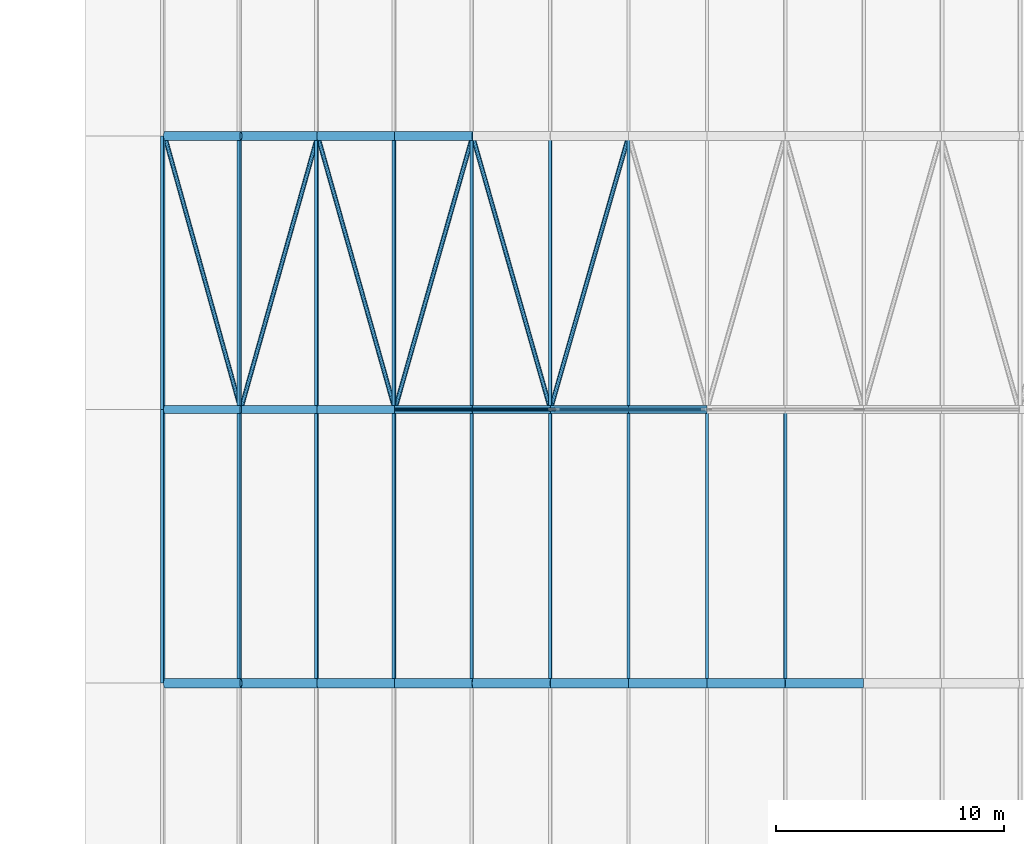
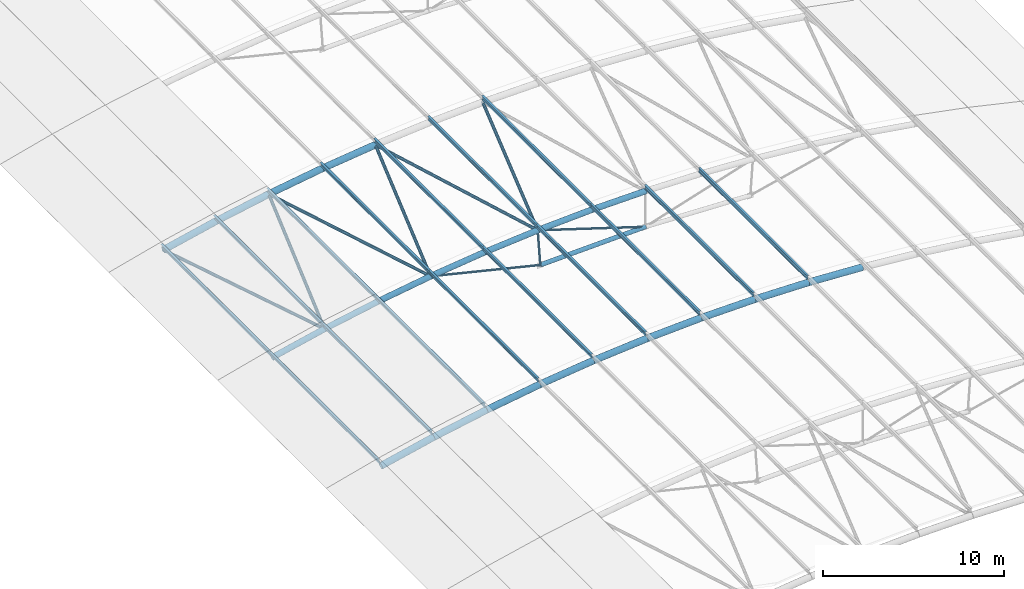
# One storey, part 7 of 91: 46 members.
"""IFC4 building model written with IfcOpenShell, lengths in metres."""

from ifc_helpers import new_model, si_unit, direction, frame, origin, origin_2d, place, context, subcontext, project, spatial, hollow_circle, i_section, extrude, material, material_profile, profile_set, type_object, element, save


model = new_model("IFC4")

# Units and contexts
model_context = context("Model", 3, precision=1e-05, world=origin(), true_north=direction((0.0, 1.0)))
body_context = subcontext(model_context, "Body", "Model", "MODEL_VIEW")
ifc_project = project(units=[si_unit("LENGTHUNIT", "METRE"), si_unit("AREAUNIT", "SQUARE_METRE"), si_unit("VOLUMEUNIT", "CUBIC_METRE"), si_unit("PLANEANGLEUNIT", "RADIAN"), si_unit("MASSUNIT", "GRAM", prefix="KILO")], contexts=[model_context])

# Site, building, storey
site_placement = place(None, origin())
site = spatial("IfcSite", under=ifc_project, at=site_placement, CompositionType="ELEMENT")
building_placement = place(site_placement, origin())
building = spatial("IfcBuilding", under=site, at=building_placement, Name="Ravi Spectrum Wholesale Market", CompositionType="ELEMENT")
storey_placement = place(building_placement, frame((0.0, 0.0, 16.199951171875)))
storey = spatial("IfcBuildingStorey", under=building, at=storey_placement, Name="ROOF PLANT LEVEL", CompositionType="ELEMENT", Elevation=16.199951171875)

# Members
ifc_material_1 = material(Name="Steel S355", Category="steel")
ifc_material_profile_1 = material_profile(ifc_material_1, hollow_circle(Radius=0.06982421875, WallThickness=0.0048828125, at=origin_2d()))
ifc_profile_set_1 = profile_set([ifc_material_profile_1], Name="Steel S355")
member_type_1 = type_object("IfcMemberType", Name="CHS 139.7x5 brace", PredefinedType="BRACE", material=ifc_profile_set_1)
member_1_placement = place(storey_placement, frame((56.318115234375, 66.0, 2.079833984375), z_axis=(0.97214359809, 0.0, -0.234386059083), x_axis=(0.0, 1.0, 0.0)))
element("IfcMember", 1, at=member_1_placement, inside=storey, type_object=member_type_1, Name="H1-MB-L02-312", PredefinedType="BRACE", context=body_context, shape_type="SweptSolid", body=[
    extrude(hollow_circle(Radius=0.06982421875, WallThickness=0.0048828125, at=origin_2d()), origin(), (0.0, 0.0, 1.0), 7.190185546875),
])
member_2_placement = place(storey_placement, frame((63.142822265625, 66.0, 2.788818359375), z_axis=(0.953666273238, 0.0, -0.300866480833), x_axis=(0.0, 1.0, 0.0)))
element("IfcMember", 2, at=member_2_placement, inside=storey, type_object=member_type_1, Name="H1-MB-L02-313", PredefinedType="BRACE", context=body_context, shape_type="SweptSolid", body=[
    extrude(hollow_circle(Radius=0.06982421875, WallThickness=0.0048828125, at=origin_2d()), origin(), (0.0, 0.0, 1.0), 7.1904296875),
])
ifc_material_2 = material(Name="Steel S355", Category="steel")
ifc_material_profile_2 = material_profile(ifc_material_2, hollow_circle(Radius=0.06982421875, WallThickness=0.0048828125, at=origin_2d()))
ifc_profile_set_2 = profile_set([ifc_material_profile_2], Name="Steel S355")
member_type_2 = type_object("IfcMemberType", Name="CHS 139.7x5 post", PredefinedType="POST", material=ifc_profile_set_2)
member_3_placement = place(storey_placement, frame((63.142822265625, 66.0, 2.788818359375), z_axis=(0.068868423963, 0.0, -0.997625751563), x_axis=(0.0, 1.0, 0.0)))
element("IfcMember", 3, at=member_3_placement, inside=storey, type_object=member_type_2, Name="H1-MB-L02-302", PredefinedType="POST", context=body_context, shape_type="SweptSolid", body=[
    extrude(hollow_circle(Radius=0.06982421875, WallThickness=0.0048828125, at=origin_2d()), origin(), (0.0, 0.0, 1.0), 2.39990234375),
])
ifc_material_3 = material(Name="Steel S355", Category="steel")
ifc_material_profile_3 = material_profile(ifc_material_3, hollow_circle(Radius=0.096923828125, WallThickness=0.00634765625, at=origin_2d()))
ifc_profile_set_3 = profile_set([ifc_material_profile_3], Name="Steel S355")
member_type_3 = type_object("IfcMemberType", Name="CHS 193.7x6.3 brace", PredefinedType="BRACE", material=ifc_profile_set_3)
member_4_placement = place(storey_placement, frame((46.21923828125, 78.0, 0.114501953125), z_axis=(0.267558016602, -0.961471825707, 0.063123974234), x_axis=(0.963393127067, 0.268092675619, 0.0)))
element("IfcMember", 4, at=member_4_placement, inside=storey, type_object=member_type_3, Name="H1-MB-L02-1613", PredefinedType="BRACE", context=body_context, shape_type="SweptSolid", body=[
    extrude(hollow_circle(Radius=0.096923828125, WallThickness=0.00634765625, at=origin_2d()), origin(), (0.0, 0.0, 1.0), 12.48095703125),
])
for number, where, z_axis, x_axis, name in (
    (5, (49.55859375, 66.0, 0.90234375), (0.270336560063, 0.961474862535, 0.049842080683), (-0.962671356068, 0.270672976499, 0.0), "H1-MB-L02-1614"),
    (6, (52.9326171875, 78.0, 1.5244140625), (0.271256737802, -0.961477693548, 0.044501988786), (0.962431178207, 0.271525739506, 0.0), "H1-MB-L02-1615"),
    (7, (56.318115234375, 66.0, 2.079833984375), (0.273115259603, 0.961478387049, 0.0311025113), (-0.961943775579, 0.273247456759, 0.0), "H1-MB-L02-1616"),
):
    element("IfcMember", number, at=place(storey_placement, frame(where, z_axis=z_axis, x_axis=x_axis)), inside=storey, type_object=member_type_3, Name=name, PredefinedType="BRACE", context=body_context, shape_type="SweptSolid", body=[
        extrude(hollow_circle(Radius=0.096923828125, WallThickness=0.00634765625, at=origin_2d()), origin(), (0.0, 0.0, 1.0), 12.480712890625),
    ])
member_5_placement = place(storey_placement, frame((59.726806640625, 78.0, 2.468017578125), z_axis=(0.273700155863, -0.961471559533, 0.025703402287), x_axis=(0.961789322244, 0.273790612729, 0.0)))
element("IfcMember", 8, at=member_5_placement, inside=storey, type_object=member_type_3, Name="H1-MB-L02-1617", PredefinedType="BRACE", context=body_context, shape_type="SweptSolid", body=[
    extrude(hollow_circle(Radius=0.096923828125, WallThickness=0.00634765625, at=origin_2d()), origin(), (0.0, 0.0, 1.0), 12.48095703125),
])
member_6_placement = place(storey_placement, frame((63.142822265625, 66.0, 2.788818359375), z_axis=(0.274620635621, 0.961475424321, 0.012186669705), x_axis=(-0.961546828996, 0.274641030523, 0.0)))
element("IfcMember", 9, at=member_6_placement, inside=storey, type_object=member_type_3, Name="H1-MB-L02-1618", PredefinedType="BRACE", context=body_context, shape_type="SweptSolid", body=[
    extrude(hollow_circle(Radius=0.096923828125, WallThickness=0.00634765625, at=origin_2d()), origin(), (0.0, 0.0, 1.0), 12.480712890625),
])
ifc_material_4 = material(Name="Steel S355", Category="steel")
ifc_material_profile_4 = material_profile(ifc_material_4, hollow_circle(Radius=0.136474609375, WallThickness=0.010009765625, at=origin_2d()))
ifc_profile_set_4 = profile_set([ifc_material_profile_4], Name="Steel S355")
member_type_4 = type_object("IfcMemberType", Name="CHS 273x10 chord", PredefinedType="CHORD", material=ifc_profile_set_4)
member_7_placement = place(storey_placement, frame((63.30810546875, 66.0, 0.39453125), z_axis=(0.999404959621, 0.0, 0.034492414878), x_axis=(0.0, 1.0, 0.0)))
element("IfcMember", 10, at=member_7_placement, inside=storey, type_object=member_type_4, Name="H1-MB-L02-291", PredefinedType="CHORD", context=body_context, shape_type="SweptSolid", body=[
    extrude(hollow_circle(Radius=0.136474609375, WallThickness=0.010009765625, at=origin_2d()), origin(), (0.0, 0.0, 1.0), 6.69580078125),
])
ifc_material_5 = material(Name="Steel S355", Category="steel")
ifc_material_profile_5 = material_profile(ifc_material_5, hollow_circle(Radius=0.177734375, WallThickness=0.012451171875, at=origin_2d()))
ifc_profile_set_5 = profile_set([ifc_material_profile_5], Name="Steel S355")
member_type_5 = type_object("IfcMemberType", Name="CHS 355.6x12.5 chord", PredefinedType="CHORD", material=ifc_profile_set_5)
member_8_placement = place(storey_placement, frame((46.213134765625, 66.0, 0.13916015625), z_axis=(0.974952916083, 0.0, 0.222411356322), x_axis=(0.0, 1.0, 0.0)))
element("IfcMember", 11, at=member_8_placement, inside=storey, type_object=member_type_5, Name="H1-MB-L02-267", PredefinedType="CHORD", context=body_context, shape_type="SweptSolid", body=[
    extrude(hollow_circle(Radius=0.177734375, WallThickness=0.012451171875, at=origin_2d()), origin(), (0.0, 0.0, 1.0), 3.431396484375),
])
for number, where, z_axis, x_axis, name in (
    (12, (49.55859375, 66.0, 0.90234375), (0.982062230733, 0.0, 0.188557086759), (0.0, 1.0, 0.0), "H1-MB-L02-268"),
    (13, (52.92822265625, 66.0, 1.54931640625), (0.987974358509, 0.0, 0.154617809221), (0.0, 1.0, 0.0), "H1-MB-L02-269"),
    (14, (56.318115234375, 66.0, 2.079833984375), (0.992718062095, 0.0, 0.120460986176), (0.0, 1.0, 0.0), "H1-MB-L02-270"),
    (15, (59.724365234375, 66.0, 2.4931640625), (0.996280795756, 0.0, 0.086165979407), (0.0, 1.0, 0.0), "H1-MB-L02-271"),
    (16, (63.142822265625, 66.0, 2.788818359375), (0.998661121681, 0.0, 0.051729721087), (0.0, 1.0, 0.0), "H1-MB-L02-272"),
    (17, (66.5693359375, 66.0, 2.96630859375), (0.99985173868, 0.0, 0.017219194475), (0.0, 1.0, 0.0), "H1-MB-L02-273"),
):
    element("IfcMember", number, at=place(storey_placement, frame(where, z_axis=z_axis, x_axis=x_axis)), inside=storey, type_object=member_type_5, Name=name, PredefinedType="CHORD", context=body_context, shape_type="SweptSolid", body=[
        extrude(hollow_circle(Radius=0.177734375, WallThickness=0.012451171875, at=origin_2d()), origin(), (0.0, 0.0, 1.0), 3.43115234375),
    ])
ifc_material_6 = material(Name="Steel S355", Category="steel")
ifc_material_profile_6 = material_profile(ifc_material_6, hollow_circle(Radius=0.203125, WallThickness=0.01611328125, at=origin_2d()))
ifc_profile_set_6 = profile_set([ifc_material_profile_6], Name="Steel S355")
member_type_6 = type_object("IfcMemberType", Name="CHS 406.4x16 chord", PredefinedType="CHORD", material=ifc_profile_set_6)
for number, where, z_axis, x_axis, name in (
    (18, (46.21923828125, 54.0, 0.114501953125), (0.974954266394, 0.0, 0.222405437074), (0.0, 1.0, 0.0), "H1-MB-L02-168"),
    (19, (49.563720703125, 54.0, 0.87744140625), (0.982054639007, 0.0, 0.188596622463), (0.0, 1.0, 0.0), "H1-MB-L02-169"),
):
    element("IfcMember", number, at=place(storey_placement, frame(where, z_axis=z_axis, x_axis=x_axis)), inside=storey, type_object=member_type_6, Name=name, PredefinedType="CHORD", context=body_context, shape_type="SweptSolid", body=[
        extrude(hollow_circle(Radius=0.203125, WallThickness=0.01611328125, at=origin_2d()), origin(), (0.0, 0.0, 1.0), 3.430419921875),
    ])
for number, where, z_axis, x_axis, name in (
    (20, (52.9326171875, 54.0, 1.5244140625), (0.987978424514, 0.0, 0.154591826096), (0.0, 1.0, 0.0), "H1-MB-L02-170"),
    (21, (56.321533203125, 54.0, 2.0546875), (0.992713930418, 0.0, 0.120495030413), (0.0, 1.0, 0.0), "H1-MB-L02-171"),
):
    element("IfcMember", number, at=place(storey_placement, frame(where, z_axis=z_axis, x_axis=x_axis)), inside=storey, type_object=member_type_6, Name=name, PredefinedType="CHORD", context=body_context, shape_type="SweptSolid", body=[
        extrude(hollow_circle(Radius=0.203125, WallThickness=0.01611328125, at=origin_2d()), origin(), (0.0, 0.0, 1.0), 3.43017578125),
    ])
for number, where, z_axis, x_axis, name in (
    (22, (59.726806640625, 54.0, 2.468017578125), (0.99628531868, 0.0, 0.086113667805), (0.0, 1.0, 0.0), "H1-MB-L02-172"),
    (23, (63.14453125, 54.0, 2.763427734375), (0.998660550273, 0.0, 0.051740751144), (0.0, 1.0, 0.0), "H1-MB-L02-173"),
):
    element("IfcMember", number, at=place(storey_placement, frame(where, z_axis=z_axis, x_axis=x_axis)), inside=storey, type_object=member_type_6, Name=name, PredefinedType="CHORD", context=body_context, shape_type="SweptSolid", body=[
        extrude(hollow_circle(Radius=0.203125, WallThickness=0.01611328125, at=origin_2d()), origin(), (0.0, 0.0, 1.0), 3.430419921875),
    ])
for number, where, z_axis, x_axis, name in (
    (24, (66.5703125, 54.0, 2.94091796875), (0.999851654256, 0.0, 0.01722409598), (0.0, 1.0, 0.0), "H1-MB-L02-174"),
    (25, (70.0, 54.0, 3.0), (0.999851654256, 0.0, -0.01722409598), (0.0, 1.0, 0.0), "H1-MB-L02-175"),
):
    element("IfcMember", number, at=place(storey_placement, frame(where, z_axis=z_axis, x_axis=x_axis)), inside=storey, type_object=member_type_6, Name=name, PredefinedType="CHORD", context=body_context, shape_type="SweptSolid", body=[
        extrude(hollow_circle(Radius=0.203125, WallThickness=0.01611328125, at=origin_2d()), origin(), (0.0, 0.0, 1.0), 3.43017578125),
    ])
for number, where, z_axis, x_axis, name in (
    (26, (73.4296875, 54.0, 2.94091796875), (0.998660550273, 0.0, -0.051740751144), (0.0, 1.0, 0.0), "H1-MB-L02-176"),
    (27, (46.21923828125, 78.0, 0.114501953125), (0.974954266394, 0.0, 0.222405437074), (0.0, 1.0, 0.0), "H1-MB-L02-330"),
    (28, (49.563720703125, 78.0, 0.87744140625), (0.982054639007, 0.0, 0.188596622463), (0.0, 1.0, 0.0), "H1-MB-L02-331"),
):
    element("IfcMember", number, at=place(storey_placement, frame(where, z_axis=z_axis, x_axis=x_axis)), inside=storey, type_object=member_type_6, Name=name, PredefinedType="CHORD", context=body_context, shape_type="SweptSolid", body=[
        extrude(hollow_circle(Radius=0.203125, WallThickness=0.01611328125, at=origin_2d()), origin(), (0.0, 0.0, 1.0), 3.430419921875),
    ])
for number, where, z_axis, x_axis, name in (
    (29, (52.9326171875, 78.0, 1.5244140625), (0.987978424514, 0.0, 0.154591826096), (0.0, 1.0, 0.0), "H1-MB-L02-332"),
    (30, (56.321533203125, 78.0, 2.0546875), (0.992713930418, 0.0, 0.120495030413), (0.0, 1.0, 0.0), "H1-MB-L02-333"),
):
    element("IfcMember", number, at=place(storey_placement, frame(where, z_axis=z_axis, x_axis=x_axis)), inside=storey, type_object=member_type_6, Name=name, PredefinedType="CHORD", context=body_context, shape_type="SweptSolid", body=[
        extrude(hollow_circle(Radius=0.203125, WallThickness=0.01611328125, at=origin_2d()), origin(), (0.0, 0.0, 1.0), 3.43017578125),
    ])
ifc_material_7 = material(Name="Steel S355", Category="steel")
ifc_material_profile_7 = material_profile(ifc_material_7, i_section(OverallWidth=0.135009765625, OverallDepth=0.27001953125, WebThickness=0.006591796875, FlangeThickness=0.01025390625, at=origin_2d()))
ifc_profile_set_7 = profile_set([ifc_material_profile_7], Name="Steel S355")
member_type_7 = type_object("IfcMemberType", Name="IPE 270 purlin", PredefinedType="PURLIN", material=ifc_profile_set_7)
for number, where, z_axis, x_axis, name in (
    (31, (46.138427734375, 54.0, 0.44287109375), (0.0, 1.0, 0.0), (-0.970982506107, 0.0, -0.239150523382), "H1-MB-L02-1289"),
    (32, (49.494140625, 54.0, 1.208251953125), (0.0, 1.0, 0.0), (-0.978653497036, 0.0, -0.205517232221), "H1-MB-L02-1290"),
    (33, (52.87451171875, 54.0, 1.857666015625), (0.0, 1.0, 0.0), (-0.985159848831, 0.0, -0.171639366844), "H1-MB-L02-1291"),
    (34, (56.275146484375, 54.0, 2.3896484375), (0.0, 1.0, 0.0), (-0.99049381866, 0.0, -0.137557243347), "H1-MB-L02-1292"),
    (35, (59.69189453125, 54.0, 2.804443359375), (0.0, 1.0, 0.0), (-0.994649057067, 0.0, -0.103311438261), "H1-MB-L02-1293"),
    (36, (63.12109375, 54.0, 3.100830078125), (0.0, 1.0, 0.0), (-0.997620623348, 0.0, -0.068942670899), "H1-MB-L02-1294"),
    (37, (66.55859375, 54.0, 3.27880859375), (0.0, 1.0, 0.0), (-0.999404978812, 0.0, -0.034491858836), "H1-MB-L02-1295"),
    (38, (70.0, 54.0, 3.338134765625), (0.0, 1.0, 0.0), (-1.0, 0.0, 0.0), "H1-MB-L02-1296"),
    (39, (73.44140625, 54.0, 3.27880859375), (0.0, 1.0, 0.0), (-0.999404978812, 0.0, 0.034491858836), "H1-MB-L02-1297"),
    (40, (46.138427734375, 66.0, 0.44287109375), (0.0, 1.0, 0.0), (-0.970982506107, 0.0, -0.239150523382), "H1-MB-L02-1314"),
    (41, (49.494140625, 66.0, 1.208251953125), (0.0, 1.0, 0.0), (-0.978653497036, 0.0, -0.205517232221), "H1-MB-L02-1315"),
    (42, (52.87451171875, 66.0, 1.857666015625), (0.0, 1.0, 0.0), (-0.985159848831, 0.0, -0.171639366844), "H1-MB-L02-1316"),
    (43, (56.275146484375, 66.0, 2.3896484375), (0.0, 1.0, 0.0), (-0.99049381866, 0.0, -0.137557243347), "H1-MB-L02-1317"),
    (44, (59.69189453125, 66.0, 2.804443359375), (0.0, 1.0, 0.0), (-0.994649057067, 0.0, -0.103311438261), "H1-MB-L02-1318"),
    (45, (63.12109375, 66.0, 3.100830078125), (0.0, 1.0, 0.0), (-0.997620623348, 0.0, -0.068942670899), "H1-MB-L02-1319"),
    (46, (66.55859375, 66.0, 3.27880859375), (0.0, 1.0, 0.0), (-0.999404978812, 0.0, -0.034491858836), "H1-MB-L02-1320"),
):
    element("IfcMember", number, at=place(storey_placement, frame(where, z_axis=z_axis, x_axis=x_axis)), inside=storey, type_object=member_type_7, Name=name, PredefinedType="PURLIN", context=body_context, shape_type="SweptSolid", body=[
        extrude(i_section(OverallWidth=0.135009765625, OverallDepth=0.27001953125, WebThickness=0.006591796875, FlangeThickness=0.01025390625, at=origin_2d()), origin(), (0.0, 0.0, 1.0), 12.0),
    ])

save(model, "model.ifc")
